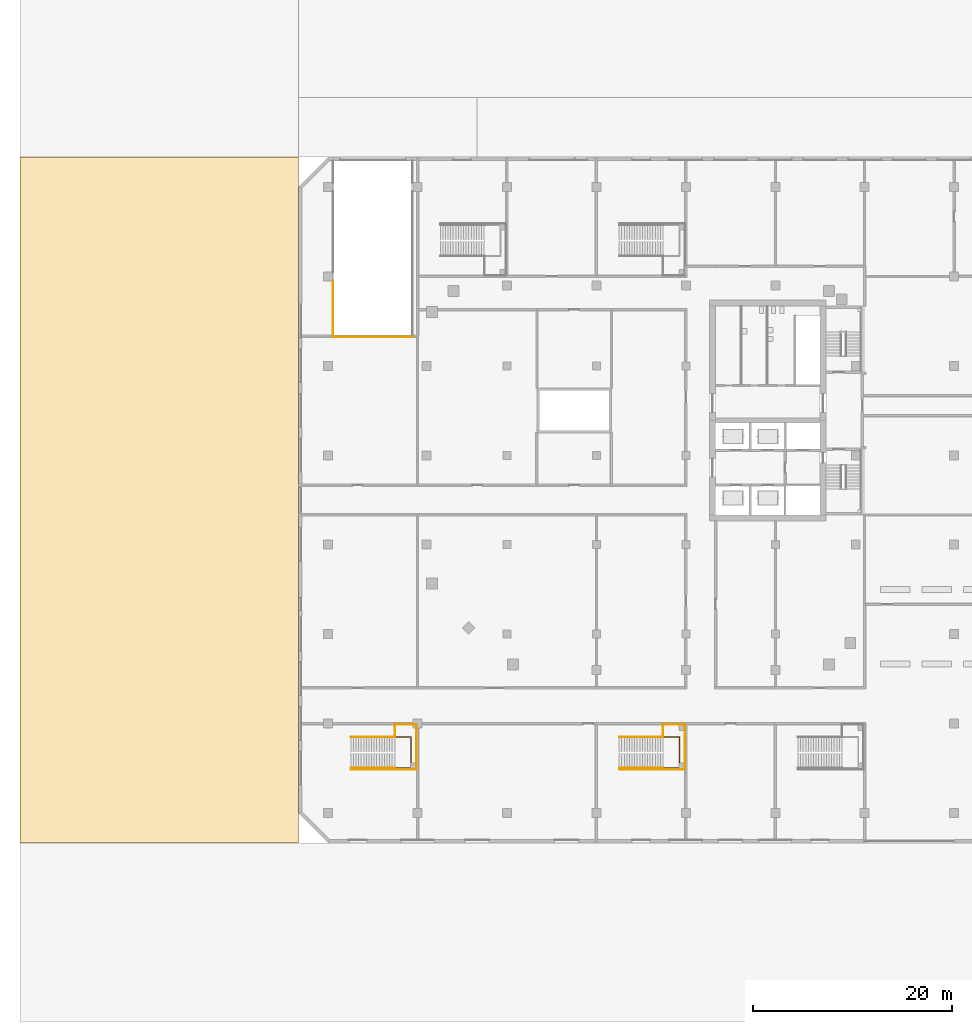
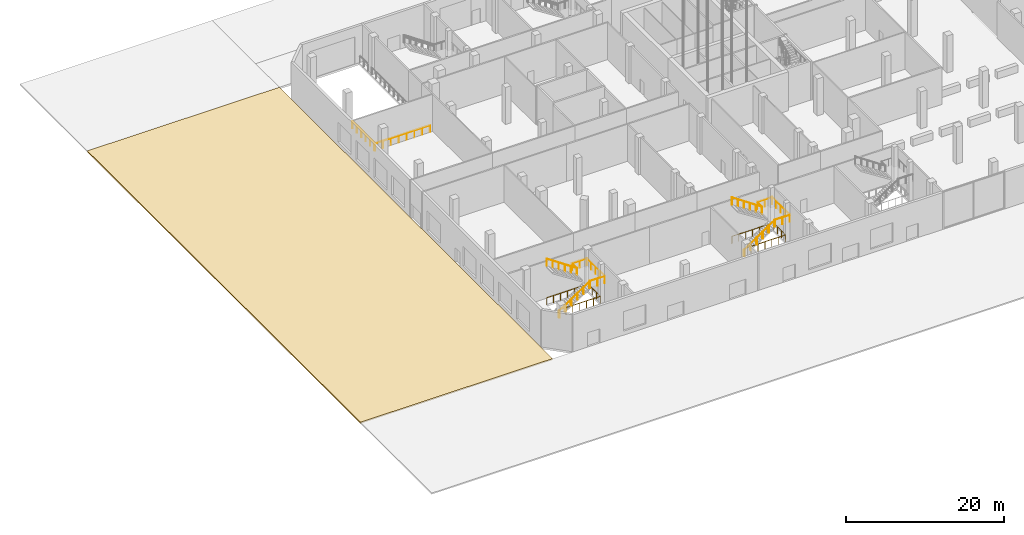
# One storey, part 46 of 55: 14 railings, 1 covering.
"""IFC4 building model written with IfcOpenShell, lengths in metres."""

from ifc_helpers import new_model, si_unit, direction, frame, origin, origin_2d, place, context, subcontext, project, spatial, polyline, circle, outline, extrude, material, layer, layer_set, type_object, element, save


model = new_model("IFC4")

# Units and contexts
model_context = context("Model", 3, precision=1e-05, world=origin(), true_north=direction((0.0, 1.0)))
body_context = subcontext(model_context, "Body", "Model", "MODEL_VIEW")
ifc_project = project(units=[si_unit("LENGTHUNIT", "METRE"), si_unit("AREAUNIT", "SQUARE_METRE"), si_unit("VOLUMEUNIT", "CUBIC_METRE"), si_unit("PLANEANGLEUNIT", "RADIAN"), si_unit("MASSUNIT", "GRAM", prefix="KILO")], contexts=[model_context])

# Site, building, storey
site_placement = place(None, origin())
site = spatial("IfcSite", under=ifc_project, at=site_placement, CompositionType="ELEMENT")
building_placement = place(site_placement, origin())
building = spatial("IfcBuilding", under=site, at=building_placement, Name="Cinnabar Reach Civic Tower", CompositionType="ELEMENT")
storey_placement = place(building_placement, origin())
storey = spatial("IfcBuildingStorey", under=building, at=storey_placement, Name="L00", CompositionType="ELEMENT", Elevation=0.0)

# Covering
ifc_material_1 = material(Name="Granite paving on sand and cement bedding", Category="masonry")
ifc_layer = layer(ifc_material_1, 0.2)
ifc_layer_set = layer_set([ifc_layer], Name="Podium granite paving 200")
covering_type = type_object("IfcCoveringType", Name="Podium granite paving 200", PredefinedType="USERDEFINED", material=ifc_layer_set)
covering_placement = place(storey_placement, frame((0.0, 0.0, -0.2)))
element("IfcCovering", 1, at=covering_placement, inside=storey, type_object=covering_type, Name="West plaza paving", ObjectType="PAVING", PredefinedType="USERDEFINED", context=body_context, shape_type="SweptSolid", body=[
    extrude(outline(polyline([(-84.0, -12.0), (-84.0, 57.0), (-112.0, 57.0), (-112.0, -12.0), (-84.0, -12.0)])), origin(), (0.0, 0.0, 1.0), 0.2),
])

# Railings
ifc_material_2 = material(Name="Stainless steel and glass", Category="steel")
railing_type_1 = type_object("IfcRailingType", Name="Podium guard 1100", PredefinedType="GUARDRAIL", material=ifc_material_2)
railing_1_placement = place(storey_placement, frame((-74.28, -1.35, 3.0)))
element("IfcRailing", 2, at=railing_1_placement, inside=storey, type_object=railing_type_1, Name="Stair guard PS1 L00", PredefinedType="GUARDRAIL", context=body_context, shape_type="SweptSolid", body=[
    extrude(circle(Radius=0.024, at=origin_2d()), frame((0.0, 0.0, 1.076), z_axis=(-0.827413642594, 0.0, 0.561592970086), x_axis=(0.0, -1.0, 0.0)), (0.0, 0.0, 1.0), 5.3419),
    extrude(circle(Radius=0.021, at=origin_2d()), origin(), (0.0, 0.0, 1.0), 1.052),
    extrude(circle(Radius=0.021, at=origin_2d()), frame((-0.884, 0.0, 0.6)), (0.0, 0.0, 1.0), 1.052),
    extrude(circle(Radius=0.021, at=origin_2d()), frame((-1.768, 0.0, 1.2)), (0.0, 0.0, 1.0), 1.052),
    extrude(circle(Radius=0.021, at=origin_2d()), frame((-2.652, 0.0, 1.8)), (0.0, 0.0, 1.0), 1.052),
    extrude(circle(Radius=0.021, at=origin_2d()), frame((-3.536, 0.0, 2.4)), (0.0, 0.0, 1.0), 1.052),
    extrude(circle(Radius=0.021, at=origin_2d()), frame((-4.42, 0.0, 3.0)), (0.0, 0.0, 1.0), 1.052),
])
railing_2_placement = place(storey_placement, frame((-74.28, -0.1, 3.0)))
element("IfcRailing", 3, at=railing_2_placement, inside=storey, type_object=railing_type_1, Name="Landing guard PS1 L00", PredefinedType="GUARDRAIL", context=body_context, shape_type="SweptSolid", body=[
    extrude(circle(Radius=0.024, at=origin_2d()), frame((0.0, 0.0, 1.076), z_axis=(1.0, 0.0, 0.0), x_axis=(0.0, 1.0, 0.0)), (0.0, 0.0, 1.0), 2.18),
    extrude(circle(Radius=0.024, at=origin_2d()), frame((2.18, 0.0, 1.076), z_axis=(0.0, -1.0, 0.0), x_axis=(1.0, 0.0, 0.0)), (0.0, 0.0, 1.0), 4.4),
    extrude(circle(Radius=0.021, at=origin_2d()), origin(), (0.0, 0.0, 1.0), 1.052),
    extrude(circle(Radius=0.021, at=origin_2d()), frame((1.09, 0.0, 0.0)), (0.0, 0.0, 1.0), 1.052),
    extrude(circle(Radius=0.021, at=origin_2d()), frame((2.18, 0.0, 0.0)), (0.0, 0.0, 1.0), 1.052),
    extrude(circle(Radius=0.021, at=origin_2d()), frame((2.18, -1.1, 0.0)), (0.0, 0.0, 1.0), 1.052),
    extrude(circle(Radius=0.021, at=origin_2d()), frame((2.18, -2.2, 0.0)), (0.0, 0.0, 1.0), 1.052),
    extrude(circle(Radius=0.021, at=origin_2d()), frame((2.18, -3.3, 0.0)), (0.0, 0.0, 1.0), 1.052),
    extrude(circle(Radius=0.021, at=origin_2d()), frame((2.18, -4.4, 0.0)), (0.0, 0.0, 1.0), 1.052),
])
railing_3_placement = place(storey_placement, frame((-74.28, -1.3, 3.0)))
element("IfcRailing", 4, at=railing_3_placement, inside=storey, type_object=railing_type_1, Name="Landing guard PS1 L00 inner", PredefinedType="GUARDRAIL", context=body_context, shape_type="SweptSolid", body=[
    extrude(circle(Radius=0.024, at=origin_2d()), frame((0.0, 0.0, 1.076), z_axis=(0.0, 1.0, 0.0), x_axis=(-1.0, 0.0, 0.0)), (0.0, 0.0, 1.0), 1.2),
    extrude(circle(Radius=0.021, at=origin_2d()), origin(), (0.0, 0.0, 1.0), 1.052),
    extrude(circle(Radius=0.021, at=origin_2d()), frame((0.0, 1.2, 0.0)), (0.0, 0.0, 1.0), 1.052),
])
railing_4_placement = place(storey_placement, frame((-78.7, -4.6, 0.0)))
element("IfcRailing", 5, at=railing_4_placement, inside=storey, type_object=railing_type_1, Name="Stair wall side guard PS1 L00", PredefinedType="GUARDRAIL", context=body_context, shape_type="SweptSolid", body=[
    extrude(circle(Radius=0.024, at=origin_2d()), frame((0.0, 0.0, 1.076), z_axis=(0.827413642594, 0.0, 0.561592970086), x_axis=(0.0, 1.0, 0.0)), (0.0, 0.0, 1.0), 5.3419),
    extrude(circle(Radius=0.024, at=origin_2d()), frame((4.42, 0.0, 4.076), z_axis=(1.0, 0.0, 0.0), x_axis=(0.0, 1.0, 0.0)), (0.0, 0.0, 1.0), 2.18),
    extrude(circle(Radius=0.021, at=origin_2d()), origin(), (0.0, 0.0, 1.0), 1.052),
    extrude(circle(Radius=0.021, at=origin_2d()), frame((0.884, 0.0, 0.6)), (0.0, 0.0, 1.0), 1.052),
    extrude(circle(Radius=0.021, at=origin_2d()), frame((1.768, 0.0, 1.2)), (0.0, 0.0, 1.0), 1.052),
    extrude(circle(Radius=0.021, at=origin_2d()), frame((2.652, 0.0, 1.8)), (0.0, 0.0, 1.0), 1.052),
    extrude(circle(Radius=0.021, at=origin_2d()), frame((3.536, 0.0, 2.4)), (0.0, 0.0, 1.0), 1.052),
    extrude(circle(Radius=0.021, at=origin_2d()), frame((4.42, 0.0, 3.0)), (0.0, 0.0, 1.0), 1.052),
    extrude(circle(Radius=0.021, at=origin_2d()), frame((5.51, 0.0, 3.0)), (0.0, 0.0, 1.0), 1.052),
    extrude(circle(Radius=0.021, at=origin_2d()), frame((6.6, 0.0, 3.0)), (0.0, 0.0, 1.0), 1.052),
])
railing_5_placement = place(storey_placement, frame((-78.7, -4.45, 0.0)))
element("IfcRailing", 6, at=railing_5_placement, inside=storey, type_object=railing_type_1, Name="Stair well guard PS1 L00", PredefinedType="GUARDRAIL", context=body_context, shape_type="SweptSolid", body=[
    extrude(circle(Radius=0.024, at=origin_2d()), frame((0.0, 0.0, 1.076), z_axis=(1.0, 0.0, 0.0), x_axis=(0.0, 1.0, 0.0)), (0.0, 0.0, 1.0), 6.05),
    extrude(circle(Radius=0.024, at=origin_2d()), frame((6.05, 0.0, 1.076), z_axis=(0.0, 1.0, 0.0), x_axis=(-1.0, 0.0, 0.0)), (0.0, 0.0, 1.0), 3.1),
    extrude(circle(Radius=0.024, at=origin_2d()), frame((6.05, 3.1, 1.076), z_axis=(-1.0, 0.0, 0.0), x_axis=(0.0, -1.0, 0.0)), (0.0, 0.0, 1.0), 6.05),
    extrude(circle(Radius=0.021, at=origin_2d()), origin(), (0.0, 0.0, 1.0), 1.052),
    extrude(circle(Radius=0.021, at=origin_2d()), frame((1.0083, 0.0, 0.0)), (0.0, 0.0, 1.0), 1.052),
    extrude(circle(Radius=0.021, at=origin_2d()), frame((2.0167, 0.0, 0.0)), (0.0, 0.0, 1.0), 1.052),
    extrude(circle(Radius=0.021, at=origin_2d()), frame((3.025, 0.0, 0.0)), (0.0, 0.0, 1.0), 1.052),
    extrude(circle(Radius=0.021, at=origin_2d()), frame((4.0333, 0.0, 0.0)), (0.0, 0.0, 1.0), 1.052),
    extrude(circle(Radius=0.021, at=origin_2d()), frame((5.0417, 0.0, 0.0)), (0.0, 0.0, 1.0), 1.052),
    extrude(circle(Radius=0.021, at=origin_2d()), frame((6.05, 0.0, 0.0)), (0.0, 0.0, 1.0), 1.052),
    extrude(circle(Radius=0.021, at=origin_2d()), frame((6.05, 1.0333, 0.0)), (0.0, 0.0, 1.0), 1.052),
    extrude(circle(Radius=0.021, at=origin_2d()), frame((6.05, 2.0667, 0.0)), (0.0, 0.0, 1.0), 1.052),
    extrude(circle(Radius=0.021, at=origin_2d()), frame((6.05, 3.1, 0.0)), (0.0, 0.0, 1.0), 1.052),
    extrude(circle(Radius=0.021, at=origin_2d()), frame((5.0417, 3.1, 0.0)), (0.0, 0.0, 1.0), 1.052),
    extrude(circle(Radius=0.021, at=origin_2d()), frame((4.0333, 3.1, 0.0)), (0.0, 0.0, 1.0), 1.052),
    extrude(circle(Radius=0.021, at=origin_2d()), frame((3.025, 3.1, 0.0)), (0.0, 0.0, 1.0), 1.052),
    extrude(circle(Radius=0.021, at=origin_2d()), frame((2.0167, 3.1, 0.0)), (0.0, 0.0, 1.0), 1.052),
    extrude(circle(Radius=0.021, at=origin_2d()), frame((1.0083, 3.1, 0.0)), (0.0, 0.0, 1.0), 1.052),
    extrude(circle(Radius=0.021, at=origin_2d()), frame((0.0, 3.1, 0.0)), (0.0, 0.0, 1.0), 1.052),
])
railing_6_placement = place(storey_placement, frame((-47.28, -1.35, 3.0)))
element("IfcRailing", 7, at=railing_6_placement, inside=storey, type_object=railing_type_1, Name="Stair guard PS8 L00", PredefinedType="GUARDRAIL", context=body_context, shape_type="SweptSolid", body=[
    extrude(circle(Radius=0.024, at=origin_2d()), frame((0.0, 0.0, 1.076), z_axis=(-0.827413642594, 0.0, 0.561592970086), x_axis=(0.0, -1.0, 0.0)), (0.0, 0.0, 1.0), 5.3419),
    extrude(circle(Radius=0.021, at=origin_2d()), origin(), (0.0, 0.0, 1.0), 1.052),
    extrude(circle(Radius=0.021, at=origin_2d()), frame((-0.884, 0.0, 0.6)), (0.0, 0.0, 1.0), 1.052),
    extrude(circle(Radius=0.021, at=origin_2d()), frame((-1.768, 0.0, 1.2)), (0.0, 0.0, 1.0), 1.052),
    extrude(circle(Radius=0.021, at=origin_2d()), frame((-2.652, 0.0, 1.8)), (0.0, 0.0, 1.0), 1.052),
    extrude(circle(Radius=0.021, at=origin_2d()), frame((-3.536, 0.0, 2.4)), (0.0, 0.0, 1.0), 1.052),
    extrude(circle(Radius=0.021, at=origin_2d()), frame((-4.42, 0.0, 3.0)), (0.0, 0.0, 1.0), 1.052),
])
railing_7_placement = place(storey_placement, frame((-47.28, -0.1, 3.0)))
element("IfcRailing", 8, at=railing_7_placement, inside=storey, type_object=railing_type_1, Name="Landing guard PS8 L00", PredefinedType="GUARDRAIL", context=body_context, shape_type="SweptSolid", body=[
    extrude(circle(Radius=0.024, at=origin_2d()), frame((0.0, 0.0, 1.076), z_axis=(1.0, 0.0, 0.0), x_axis=(0.0, 1.0, 0.0)), (0.0, 0.0, 1.0), 2.18),
    extrude(circle(Radius=0.024, at=origin_2d()), frame((2.18, 0.0, 1.076), z_axis=(0.0, -1.0, 0.0), x_axis=(1.0, 0.0, 0.0)), (0.0, 0.0, 1.0), 4.4),
    extrude(circle(Radius=0.021, at=origin_2d()), origin(), (0.0, 0.0, 1.0), 1.052),
    extrude(circle(Radius=0.021, at=origin_2d()), frame((1.09, 0.0, 0.0)), (0.0, 0.0, 1.0), 1.052),
    extrude(circle(Radius=0.021, at=origin_2d()), frame((2.18, 0.0, 0.0)), (0.0, 0.0, 1.0), 1.052),
    extrude(circle(Radius=0.021, at=origin_2d()), frame((2.18, -1.1, 0.0)), (0.0, 0.0, 1.0), 1.052),
    extrude(circle(Radius=0.021, at=origin_2d()), frame((2.18, -2.2, 0.0)), (0.0, 0.0, 1.0), 1.052),
    extrude(circle(Radius=0.021, at=origin_2d()), frame((2.18, -3.3, 0.0)), (0.0, 0.0, 1.0), 1.052),
    extrude(circle(Radius=0.021, at=origin_2d()), frame((2.18, -4.4, 0.0)), (0.0, 0.0, 1.0), 1.052),
])
railing_8_placement = place(storey_placement, frame((-47.28, -1.3, 3.0)))
element("IfcRailing", 9, at=railing_8_placement, inside=storey, type_object=railing_type_1, Name="Landing guard PS8 L00 inner", PredefinedType="GUARDRAIL", context=body_context, shape_type="SweptSolid", body=[
    extrude(circle(Radius=0.024, at=origin_2d()), frame((0.0, 0.0, 1.076), z_axis=(0.0, 1.0, 0.0), x_axis=(-1.0, 0.0, 0.0)), (0.0, 0.0, 1.0), 1.2),
    extrude(circle(Radius=0.021, at=origin_2d()), origin(), (0.0, 0.0, 1.0), 1.052),
    extrude(circle(Radius=0.021, at=origin_2d()), frame((0.0, 1.2, 0.0)), (0.0, 0.0, 1.0), 1.052),
])
railing_9_placement = place(storey_placement, frame((-51.7, -4.6, 0.0)))
element("IfcRailing", 10, at=railing_9_placement, inside=storey, type_object=railing_type_1, Name="Stair wall side guard PS8 L00", PredefinedType="GUARDRAIL", context=body_context, shape_type="SweptSolid", body=[
    extrude(circle(Radius=0.024, at=origin_2d()), frame((0.0, 0.0, 1.076), z_axis=(0.827413642594, 0.0, 0.561592970086), x_axis=(0.0, 1.0, 0.0)), (0.0, 0.0, 1.0), 5.3419),
    extrude(circle(Radius=0.024, at=origin_2d()), frame((4.42, 0.0, 4.076), z_axis=(1.0, 0.0, 0.0), x_axis=(0.0, 1.0, 0.0)), (0.0, 0.0, 1.0), 2.18),
    extrude(circle(Radius=0.021, at=origin_2d()), origin(), (0.0, 0.0, 1.0), 1.052),
    extrude(circle(Radius=0.021, at=origin_2d()), frame((0.884, 0.0, 0.6)), (0.0, 0.0, 1.0), 1.052),
    extrude(circle(Radius=0.021, at=origin_2d()), frame((1.768, 0.0, 1.2)), (0.0, 0.0, 1.0), 1.052),
    extrude(circle(Radius=0.021, at=origin_2d()), frame((2.652, 0.0, 1.8)), (0.0, 0.0, 1.0), 1.052),
    extrude(circle(Radius=0.021, at=origin_2d()), frame((3.536, 0.0, 2.4)), (0.0, 0.0, 1.0), 1.052),
    extrude(circle(Radius=0.021, at=origin_2d()), frame((4.42, 0.0, 3.0)), (0.0, 0.0, 1.0), 1.052),
    extrude(circle(Radius=0.021, at=origin_2d()), frame((5.51, 0.0, 3.0)), (0.0, 0.0, 1.0), 1.052),
    extrude(circle(Radius=0.021, at=origin_2d()), frame((6.6, 0.0, 3.0)), (0.0, 0.0, 1.0), 1.052),
])
railing_10_placement = place(storey_placement, frame((-51.7, -4.45, 0.0)))
element("IfcRailing", 11, at=railing_10_placement, inside=storey, type_object=railing_type_1, Name="Stair well guard PS8 L00", PredefinedType="GUARDRAIL", context=body_context, shape_type="SweptSolid", body=[
    extrude(circle(Radius=0.024, at=origin_2d()), frame((0.0, 0.0, 1.076), z_axis=(1.0, 0.0, 0.0), x_axis=(0.0, 1.0, 0.0)), (0.0, 0.0, 1.0), 6.05),
    extrude(circle(Radius=0.024, at=origin_2d()), frame((6.05, 0.0, 1.076), z_axis=(0.0, 1.0, 0.0), x_axis=(-1.0, 0.0, 0.0)), (0.0, 0.0, 1.0), 3.1),
    extrude(circle(Radius=0.024, at=origin_2d()), frame((6.05, 3.1, 1.076), z_axis=(-1.0, 0.0, 0.0), x_axis=(0.0, -1.0, 0.0)), (0.0, 0.0, 1.0), 6.05),
    extrude(circle(Radius=0.021, at=origin_2d()), origin(), (0.0, 0.0, 1.0), 1.052),
    extrude(circle(Radius=0.021, at=origin_2d()), frame((1.0083, 0.0, 0.0)), (0.0, 0.0, 1.0), 1.052),
    extrude(circle(Radius=0.021, at=origin_2d()), frame((2.0167, 0.0, 0.0)), (0.0, 0.0, 1.0), 1.052),
    extrude(circle(Radius=0.021, at=origin_2d()), frame((3.025, 0.0, 0.0)), (0.0, 0.0, 1.0), 1.052),
    extrude(circle(Radius=0.021, at=origin_2d()), frame((4.0333, 0.0, 0.0)), (0.0, 0.0, 1.0), 1.052),
    extrude(circle(Radius=0.021, at=origin_2d()), frame((5.0417, 0.0, 0.0)), (0.0, 0.0, 1.0), 1.052),
    extrude(circle(Radius=0.021, at=origin_2d()), frame((6.05, 0.0, 0.0)), (0.0, 0.0, 1.0), 1.052),
    extrude(circle(Radius=0.021, at=origin_2d()), frame((6.05, 1.0333, 0.0)), (0.0, 0.0, 1.0), 1.052),
    extrude(circle(Radius=0.021, at=origin_2d()), frame((6.05, 2.0667, 0.0)), (0.0, 0.0, 1.0), 1.052),
    extrude(circle(Radius=0.021, at=origin_2d()), frame((6.05, 3.1, 0.0)), (0.0, 0.0, 1.0), 1.052),
    extrude(circle(Radius=0.021, at=origin_2d()), frame((5.0417, 3.1, 0.0)), (0.0, 0.0, 1.0), 1.052),
    extrude(circle(Radius=0.021, at=origin_2d()), frame((4.0333, 3.1, 0.0)), (0.0, 0.0, 1.0), 1.052),
    extrude(circle(Radius=0.021, at=origin_2d()), frame((3.025, 3.1, 0.0)), (0.0, 0.0, 1.0), 1.052),
    extrude(circle(Radius=0.021, at=origin_2d()), frame((2.0167, 3.1, 0.0)), (0.0, 0.0, 1.0), 1.052),
    extrude(circle(Radius=0.021, at=origin_2d()), frame((1.0083, 3.1, 0.0)), (0.0, 0.0, 1.0), 1.052),
    extrude(circle(Radius=0.021, at=origin_2d()), frame((0.0, 3.1, 0.0)), (0.0, 0.0, 1.0), 1.052),
])
railing_11_placement = place(storey_placement, frame((-80.5, 39.0, 0.0)))
element("IfcRailing", 12, at=railing_11_placement, inside=storey, type_object=railing_type_1, Name="Opening guard L00 rh0-w", PredefinedType="GUARDRAIL", context=body_context, shape_type="SweptSolid", body=[
    extrude(circle(Radius=0.024, at=origin_2d()), frame((0.0, 0.0, 1.076), z_axis=(0.0, 1.0, 0.0), x_axis=(-1.0, 0.0, 0.0)), (0.0, 0.0, 1.0), 5.55),
    extrude(circle(Radius=0.021, at=origin_2d()), origin(), (0.0, 0.0, 1.0), 1.052),
    extrude(circle(Radius=0.021, at=origin_2d()), frame((0.0, 1.11, 0.0)), (0.0, 0.0, 1.0), 1.052),
    extrude(circle(Radius=0.021, at=origin_2d()), frame((0.0, 2.22, 0.0)), (0.0, 0.0, 1.0), 1.052),
    extrude(circle(Radius=0.021, at=origin_2d()), frame((0.0, 3.33, 0.0)), (0.0, 0.0, 1.0), 1.052),
    extrude(circle(Radius=0.021, at=origin_2d()), frame((0.0, 4.44, 0.0)), (0.0, 0.0, 1.0), 1.052),
    extrude(circle(Radius=0.021, at=origin_2d()), frame((0.0, 5.55, 0.0)), (0.0, 0.0, 1.0), 1.052),
])
railing_12_placement = place(storey_placement, frame((-80.5, 38.9, 0.0)))
element("IfcRailing", 13, at=railing_12_placement, inside=storey, type_object=railing_type_1, Name="Opening guard L00 rh0-s", PredefinedType="GUARDRAIL", context=body_context, shape_type="SweptSolid", body=[
    extrude(circle(Radius=0.024, at=origin_2d()), frame((0.0, 0.0, 1.076), z_axis=(1.0, 0.0, 0.0), x_axis=(0.0, 1.0, 0.0)), (0.0, 0.0, 1.0), 8.0),
    extrude(circle(Radius=0.021, at=origin_2d()), origin(), (0.0, 0.0, 1.0), 1.052),
    extrude(circle(Radius=0.021, at=origin_2d()), frame((1.1429, 0.0, 0.0)), (0.0, 0.0, 1.0), 1.052),
    extrude(circle(Radius=0.021, at=origin_2d()), frame((2.2857, 0.0, 0.0)), (0.0, 0.0, 1.0), 1.052),
    extrude(circle(Radius=0.021, at=origin_2d()), frame((3.4286, 0.0, 0.0)), (0.0, 0.0, 1.0), 1.052),
    extrude(circle(Radius=0.021, at=origin_2d()), frame((4.5714, 0.0, 0.0)), (0.0, 0.0, 1.0), 1.052),
    extrude(circle(Radius=0.021, at=origin_2d()), frame((5.7143, 0.0, 0.0)), (0.0, 0.0, 1.0), 1.052),
    extrude(circle(Radius=0.021, at=origin_2d()), frame((6.8571, 0.0, 0.0)), (0.0, 0.0, 1.0), 1.052),
    extrude(circle(Radius=0.021, at=origin_2d()), frame((8.0, 0.0, 0.0)), (0.0, 0.0, 1.0), 1.052),
])
ifc_material_3 = material(Name="Stainless steel", Category="steel")
railing_type_2 = type_object("IfcRailingType", Name="Podium stair handrail 900", PredefinedType="HANDRAIL", material=ifc_material_3)
for number, where, name in (
    (14, (-78.7, -4.45, 0.0), "Stair handrail PS1 L00"),
    (15, (-51.7, -4.45, 0.0), "Stair handrail PS8 L00"),
):
    element("IfcRailing", number, at=place(storey_placement, frame(where)), inside=storey, type_object=railing_type_2, Name=name, PredefinedType="HANDRAIL", context=body_context, shape_type="SweptSolid", body=[
        extrude(circle(Radius=0.024, at=origin_2d()), frame((0.0, 0.0, 0.876), z_axis=(0.827413642594, 0.0, 0.561592970086), x_axis=(0.0, 1.0, 0.0)), (0.0, 0.0, 1.0), 5.3419),
        extrude(circle(Radius=0.021, at=origin_2d()), origin(), (0.0, 0.0, 1.0), 0.852),
        extrude(circle(Radius=0.021, at=origin_2d()), frame((0.884, 0.0, 0.6)), (0.0, 0.0, 1.0), 0.852),
        extrude(circle(Radius=0.021, at=origin_2d()), frame((1.768, 0.0, 1.2)), (0.0, 0.0, 1.0), 0.852),
        extrude(circle(Radius=0.021, at=origin_2d()), frame((2.652, 0.0, 1.8)), (0.0, 0.0, 1.0), 0.852),
        extrude(circle(Radius=0.021, at=origin_2d()), frame((3.536, 0.0, 2.4)), (0.0, 0.0, 1.0), 0.852),
        extrude(circle(Radius=0.021, at=origin_2d()), frame((4.42, 0.0, 3.0)), (0.0, 0.0, 1.0), 0.852),
    ])

save(model, "model.ifc")
